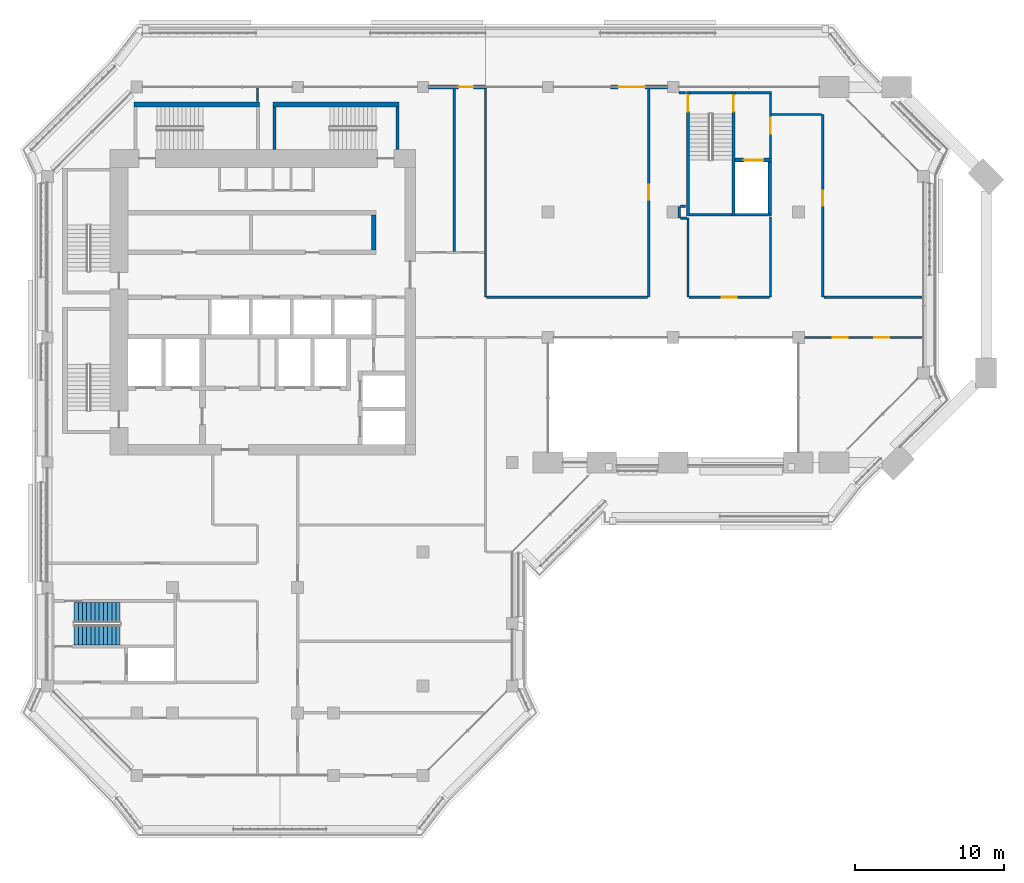
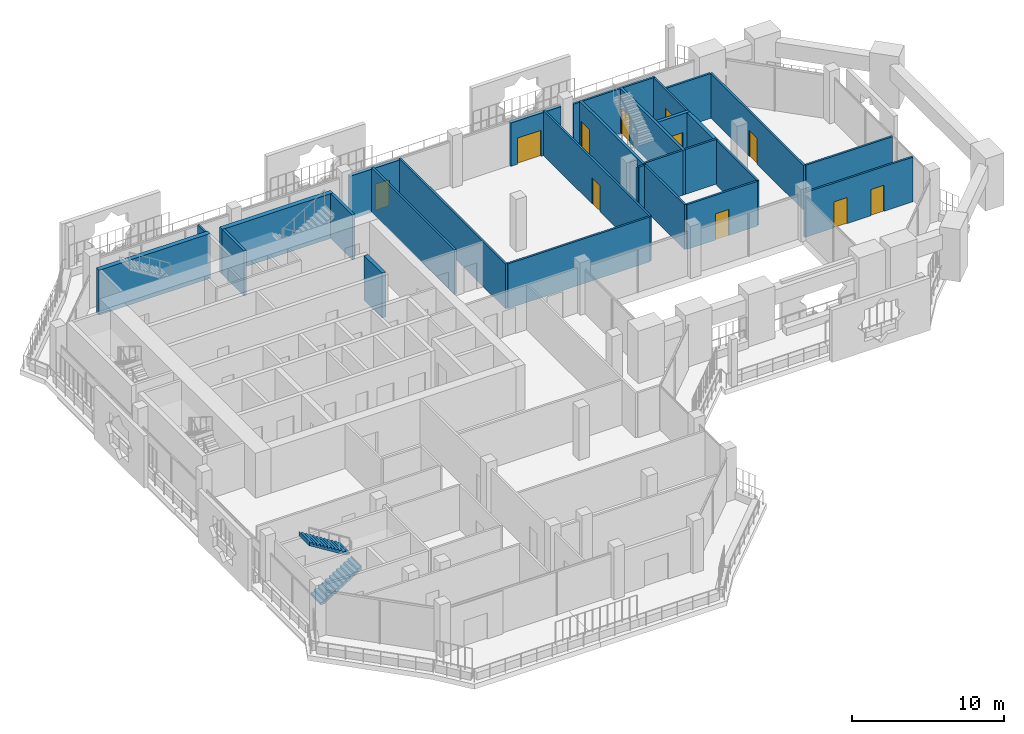
# One storey, part 12 of 22: 32 walls, 11 doors, 2 stair flights, 11 openings, 1 element without a shape of its own.
"""IFC4 building model written with IfcOpenShell, lengths in metres."""

import ifcopenshell
import ifcopenshell.guid

model = None  # the IFC model being written
_history = None  # IfcOwnerHistory: only IFC2X3 demands one
_inside = {}  # id of a spatial element -> (the spatial element, [elements in it])
_under = {}  # id of a project, library or spatial element -> (it, [spatial elements below it])
_declared = {}  # id of a project -> (the project, [libraries it declares])
_typed = {}  # id of a type object -> (the type object, [elements of that type])
_made_of = {}  # id of a material, layer set ... -> (it, [elements and type objects made of it])


def new_model(schema):
    """Start an empty IFC model of exactly this schema.

    Asked for "IFC4X3", IfcOpenShell would pick the latest addendum, in which some entities
    have other attributes; the version numbers below select the first issue.
    IFC2X3 requires an IfcOwnerHistory on every rooted entity: one is made here for all.
    """
    global model, _history
    if schema == "IFC4X3":
        model = ifcopenshell.file(schema_version=(4, 3, 0, 0))
    else:
        model = ifcopenshell.file(schema=schema)
    _inside.clear()
    _under.clear()
    _declared.clear()
    _typed.clear()
    _made_of.clear()
    _history = None
    if model.schema == "IFC2X3":
        org = make("IfcOrganization", Name="unknown")
        user = make(
            "IfcPersonAndOrganization",
            ThePerson=make("IfcPerson", FamilyName="unknown"),
            TheOrganization=org,
        )
        app = make(
            "IfcApplication",
            ApplicationDeveloper=org,
            Version="unknown",
            ApplicationFullName="unknown",
            ApplicationIdentifier="unknown",
        )
        _history = make(
            "IfcOwnerHistory",
            OwningUser=user,
            OwningApplication=app,
            ChangeAction="ADDED",
            CreationDate=0,
        )
    return model


def make(cls, **values):
    """One entity of the class cls with the attributes given. An attribute that is None is left unset."""
    return model.create_entity(
        cls, **{name: value for name, value in values.items() if value is not None}
    )


def rooted(cls, **values):
    """An entity with a GlobalId (a new one), such as an element, a storey or a relation."""
    return make(cls, GlobalId=ifcopenshell.guid.new(), OwnerHistory=_history, **values)


def si_unit(unit_type, name, prefix=None):
    """IfcSIUnit, for example si_unit("LENGTHUNIT", "METRE", prefix="MILLI")."""
    return make("IfcSIUnit", UnitType=unit_type, Prefix=prefix, Name=name)


def assignment(units):
    """IfcUnitAssignment: the units of a project."""
    return None if units is None else make("IfcUnitAssignment", Units=units)


def point(xyz):
    """IfcCartesianPoint."""
    return None if xyz is None else make("IfcCartesianPoint", Coordinates=xyz)


def direction(xyz):
    """IfcDirection."""
    return None if xyz is None else make("IfcDirection", DirectionRatios=xyz)


def frame(location, z_axis=None, x_axis=None):
    """IfcAxis2Placement3D, a coordinate frame: its origin and axes. An axis left out is left unset."""
    return make(
        "IfcAxis2Placement3D",
        Location=point(location),
        Axis=direction(z_axis),
        RefDirection=direction(x_axis),
    )


def frame_2d(location, x_axis=None):
    """IfcAxis2Placement2D, a coordinate frame in the plane: its origin and x axis."""
    return make(
        "IfcAxis2Placement2D", Location=point(location), RefDirection=direction(x_axis)
    )


def origin():
    """The frame at (0, 0, 0) with its axes left unset."""
    return frame((0.0, 0.0, 0.0))


def place(relative_to, where):
    """IfcLocalPlacement: puts the frame where relative to a parent placement (None: the world)."""
    return make(
        "IfcLocalPlacement", PlacementRelTo=relative_to, RelativePlacement=where
    )


def context(
    kind, dimensions, precision=None, world=None, true_north=None, identifier=None
):
    """IfcGeometricRepresentationContext, for example the 3D "Model" context."""
    return make(
        "IfcGeometricRepresentationContext",
        ContextIdentifier=identifier,
        ContextType=kind,
        CoordinateSpaceDimension=dimensions,
        Precision=precision,
        WorldCoordinateSystem=world,
        TrueNorth=true_north,
    )


def subcontext(parent, identifier, kind, view, scale=None):
    """IfcGeometricRepresentationSubContext, for example "Body" below "Model"."""
    return make(
        "IfcGeometricRepresentationSubContext",
        ContextIdentifier=identifier,
        ContextType=kind,
        ParentContext=parent,
        TargetScale=scale,
        TargetView=view,
    )


def project(units=None, contexts=None):
    """IfcProject with its units and contexts."""
    return rooted(
        "IfcProject",
        Name="project",
        RepresentationContexts=contexts,
        UnitsInContext=assignment(units),
    )


def spatial(cls, under=None, at=None, **own):
    """A site, building, storey or space (cls), placed at a placement, below another one or the project."""
    s = rooted(cls, ObjectPlacement=at, **own)
    if under is not None:
        _under.setdefault(under.id(), (under, []))[1].append(s)
    return s


def polyline(points):
    """IfcPolyline through the points."""
    return make("IfcPolyline", Points=[point(p) for p in points])


def profile(cls, at=None, kind="AREA", **sizes):
    """A parametric profile (cls). Its sizes go by their IFC names, for example OverallWidth=200.0."""
    return make(cls, ProfileType=kind, Position=at, **sizes)


def rectangle(**sizes):
    """IfcRectangleProfileDef."""
    return profile("IfcRectangleProfileDef", **sizes)


def outline(outer, holes=None, kind="AREA"):
    """IfcArbitraryClosedProfileDef: a profile drawn as a closed curve; with holes, ...WithVoids."""
    if holes is None:
        return make("IfcArbitraryClosedProfileDef", ProfileType=kind, OuterCurve=outer)
    return make(
        "IfcArbitraryProfileDefWithVoids",
        ProfileType=kind,
        OuterCurve=outer,
        InnerCurves=holes,
    )


def extrude(swept, where, along, depth):
    """IfcExtrudedAreaSolid: the profile swept, set in the frame where, extruded along a direction by depth."""
    return make(
        "IfcExtrudedAreaSolid",
        SweptArea=swept,
        Position=where,
        ExtrudedDirection=direction(along),
        Depth=depth,
    )


def shape(context_of_items, identifier, shape_type, items):
    """IfcShapeRepresentation: the items that make up one representation, for example the "Body"."""
    return make(
        "IfcShapeRepresentation",
        ContextOfItems=context_of_items,
        RepresentationIdentifier=identifier,
        RepresentationType=shape_type,
        Items=items,
    )


def material(Name=None, Category=None):
    """IfcMaterial."""
    return make("IfcMaterial", Name=Name, Category=Category)


def layer(
    of_material, thickness, ventilated=None, Name=None, Category=None, Priority=None
):
    """IfcMaterialLayer: one layer of a wall or slab, of a material (None: an air gap)."""
    return make(
        "IfcMaterialLayer",
        Material=of_material,
        LayerThickness=thickness,
        IsVentilated=ventilated,
        Name=Name,
        Category=Category,
        Priority=Priority,
    )


def layer_set(layers, Name=None):
    """IfcMaterialLayerSet."""
    return make("IfcMaterialLayerSet", MaterialLayers=layers, LayerSetName=Name)


def made_of(thing, what):
    """Note that an element or type object is made of a material, layer set ...; save() writes the relation."""
    if what is not None:
        _made_of.setdefault(what.id(), (what, []))[1].append(thing)
    return thing


def type_object(cls, material=None, **own):
    """A type object (cls), such as IfcWallType, which elements share."""
    return made_of(rooted(cls, **own), material)


def element(
    cls,
    number,
    at=None,
    inside=None,
    cuts=None,
    type_object=None,
    material=None,
    context=None,
    identifier="Body",
    shape_type=None,
    held_by="IfcProductDefinitionShape",
    body=None,
    shapes=None,
    **own,
):
    """One element of the class cls, such as IfcWall. Its Tag is "e" and its number.

    at: its placement. inside: the storey or other place that contains it. cuts: it is an
    opening in that element (IfcRelVoidsElement). A single representation is given by context,
    identifier, shape_type and body (its items); several are given by shapes. held_by: the class
    of the entity that holds the representations. save() writes the other relations.
    """
    e = rooted(cls, Tag="e%d" % number, ObjectPlacement=at, **own)
    if body is not None:
        shapes = [shape(context, identifier, shape_type, body)]
    if shapes is not None:
        e.Representation = make(held_by, Representations=shapes)
    if inside is not None:
        _inside.setdefault(inside.id(), (inside, []))[1].append(e)
    if cuts is not None:
        rooted(
            "IfcRelVoidsElement", RelatingBuildingElement=cuts, RelatedOpeningElement=e
        )
    if type_object is not None:
        _typed.setdefault(type_object.id(), (type_object, []))[1].append(e)
    return made_of(e, material)


def fill(opening, filler):
    """IfcRelFillsElement: the door or window that sits in an opening."""
    return rooted(
        "IfcRelFillsElement",
        RelatingOpeningElement=opening,
        RelatedBuildingElement=filler,
    )


def aggregate(whole, parts):
    """IfcRelAggregates: a whole, such as a stair, and the parts it consists of."""
    return rooted("IfcRelAggregates", RelatingObject=whole, RelatedObjects=parts)


def save(model, path):
    """Write the relations noted so far, then the file.

    IfcRelAggregates (storeys below a building ...), IfcRelContainedInSpatialStructure (elements
    in a storey), IfcRelDefinesByType, IfcRelAssociatesMaterial and IfcRelDeclares: one each for
    every whole, place, type object, material and project.
    """
    for whole, parts in _under.values():
        aggregate(whole, parts)
    for where, things in _inside.values():
        rooted(
            "IfcRelContainedInSpatialStructure",
            RelatedElements=things,
            RelatingStructure=where,
        )
    for kind, things in _typed.values():
        rooted("IfcRelDefinesByType", RelatedObjects=things, RelatingType=kind)
    for what, things in _made_of.values():
        rooted("IfcRelAssociatesMaterial", RelatedObjects=things, RelatingMaterial=what)
    for by, libraries in _declared.values():
        rooted("IfcRelDeclares", RelatingContext=by, RelatedDefinitions=libraries)
    model.write(path)


model = new_model("IFC4")

# Units and contexts
model_context = context("Model", 3, precision=1e-05, world=origin(), true_north=direction((0.0, 1.0)))
body_context = subcontext(model_context, "Body", "Model", "MODEL_VIEW")
ifc_project = project(units=[si_unit("LENGTHUNIT", "METRE"), si_unit("AREAUNIT", "SQUARE_METRE"), si_unit("VOLUMEUNIT", "CUBIC_METRE"), si_unit("PLANEANGLEUNIT", "RADIAN"), si_unit("MASSUNIT", "GRAM", prefix="KILO")], contexts=[model_context])

# Site, building, storey
site_placement = place(None, origin())
site = spatial("IfcSite", under=ifc_project, at=site_placement, CompositionType="ELEMENT")
building_placement = place(site_placement, origin())
building = spatial("IfcBuilding", under=site, at=building_placement, Name="Kawkab Arch Medical Tower", CompositionType="ELEMENT")
storey_placement = place(building_placement, frame((0.0, 0.0, 286.0)))
storey = spatial("IfcBuildingStorey", under=building, at=storey_placement, Name="L66", CompositionType="ELEMENT", Elevation=286.0)

# Wall, opening, door
ifc_material_1 = material(Name="Gypsum board on steel studs", Category="steel")
ifc_layer_1 = layer(ifc_material_1, 0.14990234375)
ifc_layer_set_1 = layer_set([ifc_layer_1], Name="Gypsum board on steel studs")
wall_type_1 = type_object("IfcWallType", Name="Core room partition 150", PredefinedType="PARTITIONING", material=ifc_layer_set_1)
wall_1_placement = place(storey_placement, frame((48.52490234375, -4.77490234375, 0.0), z_axis=(0.0, 0.0, 1.0), x_axis=(0.0, 1.0, 0.0)))
wall_1 = element("IfcWall", 1, at=wall_1_placement, inside=storey, type_object=wall_type_1, Name="L66 core room partition", PredefinedType="PARTITIONING", context=body_context, shape_type="SweptSolid", body=[
    extrude(rectangle(XDim=4.324951171875, YDim=0.14990234375, at=frame_2d((2.16259765625, 0.0))), origin(), (0.0, 0.0, 1.0), 3.60009765625),
])
opening_1_placement = place(wall_1_placement, frame((1.625, 0.0, 0.0)))
opening_1 = element("IfcOpeningElement", 2, at=opening_1_placement, cuts=wall_1, Name="Opening FD", PredefinedType="OPENING", context=body_context, shape_type="SweptSolid", body=[
    extrude(rectangle(XDim=1.10009765625, YDim=2.10009765625, at=frame_2d((0.550048828125, 1.050048828125))), frame((0.0, 0.0849609375, 0.0), z_axis=(0.0, -1.0, 0.0), x_axis=(1.0, 0.0, 0.0)), (0.0, 0.0, 1.0), 0.169921875),
])
ifc_material_2 = material(Name="Hollow metal fire door leaf")
door_type_1 = type_object("IfcDoorType", Name="Firefighting lobby door 1100", OperationType="SINGLE_SWING_LEFT", PredefinedType="DOOR", material=ifc_material_2)
door_1_placement = place(opening_1_placement, origin())
door_1 = element("IfcDoor", 3, at=door_1_placement, inside=storey, type_object=door_type_1, Name="L66 Service lift lobby door SV1", OperationType="SINGLE_SWING_LEFT", OverallHeight=2.10009765625, OverallWidth=1.10009765625, PredefinedType="DOOR", context=body_context, shape_type="SweptSolid", body=[
    extrude(rectangle(XDim=1.10009765625, YDim=2.10009765625, at=frame_2d((0.550048828125, 1.050048828125))), frame((0.0, 0.02490234375, 0.0), z_axis=(0.0, -1.0, 0.0), x_axis=(1.0, 0.0, 0.0)), (0.0, 0.0, 1.0), 0.050048828125),
])
fill(opening_1, door_1)

ifc_material_3 = material(Name="Concrete C60/75", Category="concrete")
ifc_layer_2 = layer(ifc_material_3, 0.25)
ifc_layer_set_2 = layer_set([ifc_layer_2], Name="Concrete C60/75")
wall_type_2 = type_object("IfcWallType", Name="Core shear wall 250 C60/75", PredefinedType="SHEAR", material=ifc_layer_set_2)
wall_2_placement = place(storey_placement, frame((46.14990234375, -4.89990234375, 0.0), z_axis=(0.0, 0.0, 1.0), x_axis=(1.0, 0.0, 0.0)))
wall_2 = element("IfcWall", 4, at=wall_2_placement, inside=storey, type_object=wall_type_2, Name="L66 core shear wall", PredefinedType="SHEAR", context=body_context, shape_type="SweptSolid", body=[
    extrude(rectangle(XDim=2.4501953125, YDim=0.25, at=frame_2d((1.22509765625, 0.0))), origin(), (0.0, 0.0, 1.0), 3.60009765625),
])
opening_2_placement = place(wall_2_placement, frame((0.60009765625, 0.0, 0.0)))
opening_2 = element("IfcOpeningElement", 5, at=opening_2_placement, cuts=wall_2, Name="Opening LD2", PredefinedType="OPENING", context=body_context, shape_type="SweptSolid", body=[
    extrude(rectangle(XDim=1.300048828125, YDim=2.10009765625, at=frame_2d((0.64990234375, 1.050048828125))), frame((0.0, 0.135009765625, 0.0), z_axis=(0.0, -1.0, 0.0), x_axis=(1.0, 0.0, 0.0)), (0.0, 0.0, 1.0), 0.27001953125),
])
ifc_material_4 = material(Name="Stainless steel lift door leaf", Category="steel")
door_type_2 = type_object("IfcDoorType", Name="Lift landing door 1300", OperationType="DOUBLE_DOOR_SLIDING", PredefinedType="DOOR", material=ifc_material_4)
door_2_placement = place(opening_2_placement, origin())
door_2 = element("IfcDoor", 6, at=door_2_placement, inside=storey, type_object=door_type_2, Name="L66 Lift landing door SV1", OperationType="DOUBLE_DOOR_SLIDING", OverallHeight=2.10009765625, OverallWidth=1.300048828125, PredefinedType="DOOR", context=body_context, shape_type="SweptSolid", body=[
    extrude(rectangle(XDim=1.300048828125, YDim=2.10009765625, at=frame_2d((0.64990234375, 1.050048828125))), frame((0.0, 0.02490234375, 0.0), z_axis=(0.0, -1.0, 0.0), x_axis=(1.0, 0.0, 0.0)), (0.0, 0.0, 1.0), 0.050048828125),
])
fill(opening_2, door_2)

# Walls
wall_3_placement = place(storey_placement, frame((48.47509765625, -8.5, 0.0), z_axis=(0.0, 0.0, 1.0), x_axis=(0.0, 1.0, 0.0)))
element("IfcWall", 7, at=wall_3_placement, inside=storey, type_object=wall_type_2, Name="L66 core shear wall", PredefinedType="SHEAR", context=body_context, shape_type="SweptSolid", body=[
    extrude(rectangle(XDim=3.47509765625, YDim=0.25, at=frame_2d((1.737548828125, 0.0))), origin(), (0.0, 0.0, 1.0), 3.60009765625),
])
ifc_material_5 = material(Name="Concrete C60/75", Category="concrete")
ifc_layer_3 = layer(ifc_material_5, 0.300048828125)
ifc_layer_set_3 = layer_set([ifc_layer_3], Name="Concrete C60/75")
wall_type_3 = type_object("IfcWallType", Name="Core shear wall 300 C60/75", PredefinedType="SHEAR", material=ifc_layer_set_3)
wall_4_placement = place(storey_placement, frame((21.89990234375, -10.949951171875, 0.0), z_axis=(0.0, 0.0, 1.0), x_axis=(0.0, 1.0, 0.0)))
element("IfcWall", 8, at=wall_4_placement, inside=storey, type_object=wall_type_3, Name="L66 core shear wall", PredefinedType="SHEAR", context=body_context, shape_type="SweptSolid", body=[
    extrude(rectangle(XDim=2.349853515625, YDim=0.300048828125, at=frame_2d((1.1748046875, 0.0))), origin(), (0.0, 0.0, 1.0), 3.60009765625),
])

# Wall, opening, door
ifc_material_6 = material(Name="Bronze clad insulated wall panel")
ifc_layer_4 = layer(ifc_material_6, 0.25)
ifc_layer_set_4 = layer_set([ifc_layer_4], Name="Bronze clad insulated wall panel")
wall_type_4 = type_object("IfcWallType", Name="External wall bay 250", PredefinedType="SOLIDWALL", material=ifc_layer_set_4)
wall_5_placement = place(storey_placement, frame((41.625, 0.0, 0.0), z_axis=(0.0, 0.0, 1.0), x_axis=(-1.0, 0.0, 0.0)))
wall_5 = element("IfcWall", 9, at=wall_5_placement, inside=storey, type_object=wall_type_4, Name="External wall bay L66.R10.2.1", PredefinedType="SOLIDWALL", context=body_context, shape_type="SweptSolid", body=[
    extrude(rectangle(XDim=3.824951171875, YDim=0.25, at=frame_2d((1.91259765625, 0.0))), origin(), (0.0, 0.0, 1.0), 3.47998046875),
])
opening_3_placement = place(wall_5_placement, frame((1.512451171875, 0.0, 0.0)))
opening_3 = element("IfcOpeningElement", 10, at=opening_3_placement, cuts=wall_5, Name="Opening B66-701", PredefinedType="OPENING", context=body_context, shape_type="SweptSolid", body=[
    extrude(rectangle(XDim=1.800048828125, YDim=2.10009765625, at=frame_2d((0.89990234375, 1.050048828125))), frame((0.0, 0.135009765625, 0.0), z_axis=(0.0, -1.0, 0.0), x_axis=(1.0, 0.0, 0.0)), (0.0, 0.0, 1.0), 0.27001953125),
])
ifc_material_7 = material(Name="Bronze anodised aluminium door with tinted glass", Category="aluminium")
door_type_3 = type_object("IfcDoorType", Name="Double external door 1800 x 2100", OperationType="DOUBLE_DOOR_SINGLE_SWING", PredefinedType="DOOR", material=ifc_material_7)
door_3_placement = place(opening_3_placement, origin())
door_3 = element("IfcDoor", 11, at=door_3_placement, inside=storey, type_object=door_type_3, Name="External door L66.R10.2.1", OperationType="DOUBLE_DOOR_SINGLE_SWING", OverallHeight=2.10009765625, OverallWidth=1.800048828125, PredefinedType="DOOR", context=body_context, shape_type="SweptSolid", body=[
    extrude(rectangle(XDim=1.800048828125, YDim=2.10009765625, at=frame_2d((0.89990234375, 1.050048828125))), frame((0.0, 0.02490234375, 0.0), z_axis=(0.0, -1.0, 0.0), x_axis=(1.0, 0.0, 0.0)), (0.0, 0.0, 1.0), 0.050048828125),
])
fill(opening_3, door_3)

wall_6_placement = place(storey_placement, frame((29.39990234375, 0.0, 0.0), z_axis=(0.0, 0.0, 1.0), x_axis=(-1.0, 0.0, 0.0)))
wall_6 = element("IfcWall", 12, at=wall_6_placement, inside=storey, type_object=wall_type_4, Name="External wall bay L66.R10.3.2", PredefinedType="SOLIDWALL", context=body_context, shape_type="SweptSolid", body=[
    extrude(rectangle(XDim=3.824951171875, YDim=0.25, at=frame_2d((1.91259765625, 0.0))), origin(), (0.0, 0.0, 1.0), 3.47998046875),
])
opening_4_placement = place(wall_6_placement, frame((0.8125, 0.0, 0.0)))
opening_4 = element("IfcOpeningElement", 13, at=opening_4_placement, cuts=wall_6, Name="Opening B66-702", PredefinedType="OPENING", context=body_context, shape_type="SweptSolid", body=[
    extrude(rectangle(XDim=1.0, YDim=2.10009765625, at=frame_2d((0.5, 1.050048828125))), frame((0.0, 0.135009765625, 0.0), z_axis=(0.0, -1.0, 0.0), x_axis=(1.0, 0.0, 0.0)), (0.0, 0.0, 1.0), 0.27001953125),
])
ifc_material_8 = material(Name="Bronze anodised aluminium door with tinted glass", Category="aluminium")
door_type_4 = type_object("IfcDoorType", Name="Single external door 1000 x 2100", OperationType="SINGLE_SWING_LEFT", PredefinedType="DOOR", material=ifc_material_8)
door_4_placement = place(opening_4_placement, origin())
door_4 = element("IfcDoor", 14, at=door_4_placement, inside=storey, type_object=door_type_4, Name="External door L66.R10.3.2", OperationType="SINGLE_SWING_LEFT", OverallHeight=2.10009765625, OverallWidth=1.0, PredefinedType="DOOR", context=body_context, shape_type="SweptSolid", body=[
    extrude(rectangle(XDim=1.0, YDim=2.10009765625, at=frame_2d((0.5, 1.050048828125))), frame((0.0, 0.02490234375, 0.0), z_axis=(0.0, -1.0, 0.0), x_axis=(1.0, 0.0, 0.0)), (0.0, 0.0, 1.0), 0.050048828125),
])
fill(opening_4, door_4)

# Wall, openings, doors
ifc_material_9 = material(Name="Gypsum board partition on steel studs, mineral wool", Category="steel")
ifc_layer_5 = layer(ifc_material_9, 0.14990234375)
ifc_layer_set_5 = layer_set([ifc_layer_5], Name="Gypsum board partition on steel studs, mineral wool")
wall_type_5 = type_object("IfcWallType", Name="Partition 150", PredefinedType="PARTITIONING", material=ifc_layer_set_5)
wall_7_placement = place(storey_placement, frame((50.47998046875, -16.800048828125, 0.0), z_axis=(0.0, 0.0, 1.0), x_axis=(1.0, 0.0, 0.0)))
wall_7 = element("IfcWall", 15, at=wall_7_placement, inside=storey, type_object=wall_type_5, Name="Partition 150 w011", PredefinedType="PARTITIONING", context=body_context, shape_type="SweptSolid", body=[
    extrude(rectangle(XDim=8.239990234375, YDim=0.14990234375, at=frame_2d((4.1201171875, 0.0))), origin(), (0.0, 0.0, 1.0), 3.60009765625),
])
opening_5_placement = place(wall_7_placement, frame((5.02001953125, 0.0, 0.0)))
opening_5 = element("IfcOpeningElement", 16, at=opening_5_placement, cuts=wall_7, Name="Opening B66-006", PredefinedType="OPENING", context=body_context, shape_type="SweptSolid", body=[
    extrude(rectangle(XDim=1.0, YDim=2.10009765625, at=frame_2d((0.5, 1.050048828125))), frame((0.0, 0.0849609375, 0.0), z_axis=(0.0, -1.0, 0.0), x_axis=(1.0, 0.0, 0.0)), (0.0, 0.0, 1.0), 0.169921875),
])
opening_6_placement = place(wall_7_placement, frame((2.219970703125, 0.0, 0.0)))
opening_6 = element("IfcOpeningElement", 17, at=opening_6_placement, cuts=wall_7, Name="Opening B66-007", PredefinedType="OPENING", context=body_context, shape_type="SweptSolid", body=[
    extrude(rectangle(XDim=1.0, YDim=2.10009765625, at=frame_2d((0.5, 1.050048828125))), frame((0.0, 0.0849609375, 0.0), z_axis=(0.0, -1.0, 0.0), x_axis=(1.0, 0.0, 0.0)), (0.0, 0.0, 1.0), 0.169921875),
])
ifc_material_10 = material(Name="Hollow metal door leaf")
door_type_5 = type_object("IfcDoorType", Name="Single door 1000x2100 FD30S", OperationType="NOTDEFINED", PredefinedType="DOOR", material=ifc_material_10)
door_5_placement = place(opening_5_placement, origin())
door_5 = element("IfcDoor", 18, at=door_5_placement, inside=storey, type_object=door_type_5, Name="Door B66-006", OperationType="SINGLE_SWING_LEFT", OverallHeight=2.10009765625, OverallWidth=1.0, PredefinedType="DOOR", context=body_context, shape_type="SweptSolid", body=[
    extrude(rectangle(XDim=1.0, YDim=2.10009765625, at=frame_2d((0.5, 1.050048828125))), frame((0.0, 0.02490234375, 0.0), z_axis=(0.0, -1.0, 0.0), x_axis=(1.0, 0.0, 0.0)), (0.0, 0.0, 1.0), 0.050048828125),
])
fill(opening_5, door_5)
door_6_placement = place(opening_6_placement, origin())
door_6 = element("IfcDoor", 19, at=door_6_placement, inside=storey, type_object=door_type_5, Name="Door B66-007", OperationType="SINGLE_SWING_RIGHT", OverallHeight=2.10009765625, OverallWidth=1.0, PredefinedType="DOOR", context=body_context, shape_type="SweptSolid", body=[
    extrude(rectangle(XDim=1.0, YDim=2.10009765625, at=frame_2d((0.5, 1.050048828125))), frame((0.0, 0.02490234375, 0.0), z_axis=(0.0, -1.0, 0.0), x_axis=(1.0, 0.0, 0.0)), (0.0, 0.0, 1.0), 0.050048828125),
])
fill(opening_6, door_6)

# Wall
wall_8_placement = place(storey_placement, frame((29.47509765625, -14.10009765625, 0.0), z_axis=(0.0, 0.0, 1.0), x_axis=(1.0, 0.0, 0.0)))
element("IfcWall", 20, at=wall_8_placement, inside=storey, type_object=wall_type_5, Name="Partition 150 w012", PredefinedType="PARTITIONING", context=body_context, shape_type="SweptSolid", body=[
    extrude(rectangle(XDim=10.806884765625, YDim=0.14990234375, at=frame_2d((5.4033203125, 0.0))), origin(), (0.0, 0.0, 1.0), 3.60009765625),
])

# Wall, opening, door
wall_9_placement = place(storey_placement, frame((43.074951171875, -14.10009765625, 0.0), z_axis=(0.0, 0.0, 1.0), x_axis=(1.0, 0.0, 0.0)))
wall_9 = element("IfcWall", 21, at=wall_9_placement, inside=storey, type_object=wall_type_5, Name="Partition 150 w013", PredefinedType="PARTITIONING", context=body_context, shape_type="SweptSolid", body=[
    extrude(rectangle(XDim=5.375, YDim=0.14990234375, at=frame_2d((2.6875, 0.0))), origin(), (0.0, 0.0, 1.0), 3.60009765625),
])
opening_7_placement = place(wall_9_placement, frame((2.18798828125, 0.0, 0.0)))
opening_7 = element("IfcOpeningElement", 22, at=opening_7_placement, cuts=wall_9, Name="Opening B66-015", PredefinedType="OPENING", context=body_context, shape_type="SweptSolid", body=[
    extrude(rectangle(XDim=1.0, YDim=2.10009765625, at=frame_2d((0.5, 1.050048828125))), frame((0.0, 0.0849609375, 0.0), z_axis=(0.0, -1.0, 0.0), x_axis=(1.0, 0.0, 0.0)), (0.0, 0.0, 1.0), 0.169921875),
])
door_7_placement = place(opening_7_placement, origin())
door_7 = element("IfcDoor", 23, at=door_7_placement, inside=storey, type_object=door_type_5, Name="Door B66-015", OperationType="SINGLE_SWING_LEFT", OverallHeight=2.10009765625, OverallWidth=1.0, PredefinedType="DOOR", context=body_context, shape_type="SweptSolid", body=[
    extrude(rectangle(XDim=1.0, YDim=2.10009765625, at=frame_2d((0.5, 1.050048828125))), frame((0.0, 0.02490234375, 0.0), z_axis=(0.0, -1.0, 0.0), x_axis=(1.0, 0.0, 0.0)), (0.0, 0.0, 1.0), 0.050048828125),
])
fill(opening_7, door_7)

# Walls
wall_10_placement = place(storey_placement, frame((52.117919921875, -14.10009765625, 0.0), z_axis=(0.0, 0.0, 1.0), x_axis=(1.0, 0.0, 0.0)))
element("IfcWall", 24, at=wall_10_placement, inside=storey, type_object=wall_type_5, Name="Partition 150 w014", PredefinedType="PARTITIONING", context=body_context, shape_type="SweptSolid", body=[
    extrude(rectangle(XDim=6.60205078125, YDim=0.14990234375, at=frame_2d((3.301025390625, 0.0))), origin(), (0.0, 0.0, 1.0), 3.60009765625),
])
wall_11_placement = place(storey_placement, frame((42.47509765625, -8.800048828125, 0.0), z_axis=(0.0, 0.0, 1.0), x_axis=(1.0, 0.0, 0.0)))
element("IfcWall", 25, at=wall_11_placement, inside=storey, type_object=wall_type_5, Name="Partition 150 w016", PredefinedType="PARTITIONING", context=body_context, shape_type="SweptSolid", body=[
    extrude(rectangle(XDim=0.449951171875, YDim=0.14990234375, at=frame_2d((0.22509765625, 0.0))), origin(), (0.0, 0.0, 1.0), 3.60009765625),
])
wall_12_placement = place(storey_placement, frame((42.47607421875, -8.0, 0.0), z_axis=(0.0, 0.0, 1.0), x_axis=(1.0, 0.0, 0.0)))
element("IfcWall", 26, at=wall_12_placement, inside=storey, type_object=wall_type_5, Name="Partition 150 w017", PredefinedType="PARTITIONING", context=body_context, shape_type="SweptSolid", body=[
    extrude(rectangle(XDim=0.343994140625, YDim=0.14990234375, at=frame_2d((0.171875, 0.0))), origin(), (0.0, 0.0, 1.0), 3.60009765625),
])
wall_13_placement = place(storey_placement, frame((48.60009765625, -1.85009765625, 0.0), z_axis=(0.0, 0.0, 1.0), x_axis=(1.0, 0.0, 0.0)))
element("IfcWall", 27, at=wall_13_placement, inside=storey, type_object=wall_type_5, Name="Partition 150 w018", PredefinedType="PARTITIONING", context=body_context, shape_type="SweptSolid", body=[
    extrude(rectangle(XDim=3.366943359375, YDim=0.14990234375, at=frame_2d((1.68359375, 0.0))), origin(), (0.0, 0.0, 1.0), 3.60009765625),
])
wall_14_placement = place(storey_placement, frame((42.375, -0.375, 0.0), z_axis=(0.0, 0.0, 1.0), x_axis=(1.0, 0.0, 0.0)))
element("IfcWall", 28, at=wall_14_placement, inside=storey, type_object=wall_type_5, Name="Partition 150 w019", PredefinedType="PARTITIONING", context=body_context, shape_type="SweptSolid", body=[
    extrude(rectangle(XDim=0.445068359375, YDim=0.14990234375, at=frame_2d((0.22265625, 0.0))), origin(), (0.0, 0.0, 1.0), 3.60009765625),
])
wall_15_placement = place(storey_placement, frame((14.10009765625, -0.969970703125, 0.0), z_axis=(0.0, 0.0, 1.0), x_axis=(0.0, 1.0, 0.0)))
element("IfcWall", 29, at=wall_15_placement, inside=storey, type_object=wall_type_5, Name="Partition 150 w025", PredefinedType="PARTITIONING", context=body_context, shape_type="SweptSolid", body=[
    extrude(rectangle(XDim=0.889892578125, YDim=0.14990234375, at=frame_2d((0.44482421875, 0.0))), origin(), (0.0, 0.0, 1.0), 3.60009765625),
])
wall_16_placement = place(storey_placement, frame((27.300048828125, -11.02490234375, 0.0), z_axis=(0.0, 0.0, 1.0), x_axis=(0.0, 1.0, 0.0)))
element("IfcWall", 30, at=wall_16_placement, inside=storey, type_object=wall_type_5, Name="Partition 150 w027", PredefinedType="PARTITIONING", context=body_context, shape_type="SweptSolid", body=[
    extrude(rectangle(XDim=10.94482421875, YDim=0.14990234375, at=frame_2d((5.472412109375, 0.0))), origin(), (0.0, 0.0, 1.0), 3.60009765625),
])
wall_17_placement = place(storey_placement, frame((29.39990234375, -14.10009765625, 0.0), z_axis=(0.0, 0.0, 1.0), x_axis=(0.0, 1.0, 0.0)))
element("IfcWall", 31, at=wall_17_placement, inside=storey, type_object=wall_type_5, Name="Partition 150 w029", PredefinedType="PARTITIONING", context=body_context, shape_type="SweptSolid", body=[
    extrude(rectangle(XDim=14.02001953125, YDim=0.14990234375, at=frame_2d((7.010009765625, 0.0))), origin(), (0.0, 0.0, 1.0), 3.60009765625),
])

# Wall, opening, door
wall_18_placement = place(storey_placement, frame((40.35693359375, -14.10009765625, 0.0), z_axis=(0.0, 0.0, 1.0), x_axis=(0.0, 1.0, 0.0)))
wall_18 = element("IfcWall", 32, at=wall_18_placement, inside=storey, type_object=wall_type_5, Name="Partition 150 w030", PredefinedType="PARTITIONING", context=body_context, shape_type="SweptSolid", body=[
    extrude(rectangle(XDim=14.02001953125, YDim=0.14990234375, at=frame_2d((7.010009765625, 0.0))), origin(), (0.0, 0.0, 1.0), 3.60009765625),
])
opening_8_placement = place(wall_18_placement, frame((6.550048828125, 0.0, 0.0)))
opening_8 = element("IfcOpeningElement", 33, at=opening_8_placement, cuts=wall_18, Name="Opening B66-013", PredefinedType="OPENING", context=body_context, shape_type="SweptSolid", body=[
    extrude(rectangle(XDim=1.0, YDim=2.10009765625, at=frame_2d((0.5, 1.050048828125))), frame((0.0, 0.0849609375, 0.0), z_axis=(0.0, -1.0, 0.0), x_axis=(1.0, 0.0, 0.0)), (0.0, 0.0, 1.0), 0.169921875),
])
door_8_placement = place(opening_8_placement, origin())
door_8 = element("IfcDoor", 34, at=door_8_placement, inside=storey, type_object=door_type_5, Name="Door B66-013", OperationType="SINGLE_SWING_LEFT", OverallHeight=2.10009765625, OverallWidth=1.0, PredefinedType="DOOR", context=body_context, shape_type="SweptSolid", body=[
    extrude(rectangle(XDim=1.0, YDim=2.10009765625, at=frame_2d((0.5, 1.050048828125))), frame((0.0, 0.02490234375, 0.0), z_axis=(0.0, -1.0, 0.0), x_axis=(1.0, 0.0, 0.0)), (0.0, 0.0, 1.0), 0.050048828125),
])
fill(opening_8, door_8)

# Walls
wall_19_placement = place(storey_placement, frame((42.39990234375, -8.800048828125, 0.0), z_axis=(0.0, 0.0, 1.0), x_axis=(0.0, 1.0, 0.0)))
element("IfcWall", 35, at=wall_19_placement, inside=storey, type_object=wall_type_5, Name="Partition 150 w031", PredefinedType="PARTITIONING", context=body_context, shape_type="SweptSolid", body=[
    extrude(rectangle(XDim=0.799072265625, YDim=0.14990234375, at=frame_2d((0.3994140625, 0.0))), origin(), (0.0, 0.0, 1.0), 3.60009765625),
])
wall_20_placement = place(storey_placement, frame((43.0, -14.10009765625, 0.0), z_axis=(0.0, 0.0, 1.0), x_axis=(0.0, 1.0, 0.0)))
element("IfcWall", 36, at=wall_20_placement, inside=storey, type_object=wall_type_5, Name="Partition 150 w032", PredefinedType="PARTITIONING", context=body_context, shape_type="SweptSolid", body=[
    extrude(rectangle(XDim=5.300048828125, YDim=0.14990234375, at=frame_2d((2.64990234375, 0.0))), origin(), (0.0, 0.0, 1.0), 3.60009765625),
])
wall_21_placement = place(storey_placement, frame((48.52490234375, -14.10009765625, 0.0), z_axis=(0.0, 0.0, 1.0), x_axis=(0.0, 1.0, 0.0)))
element("IfcWall", 37, at=wall_21_placement, inside=storey, type_object=wall_type_5, Name="Partition 150 w033", PredefinedType="PARTITIONING", context=body_context, shape_type="SweptSolid", body=[
    extrude(rectangle(XDim=5.3701171875, YDim=0.14990234375, at=frame_2d((2.68505859375, 0.0))), origin(), (0.0, 0.0, 1.0), 3.60009765625),
])

# Wall, opening, door
wall_22_placement = place(storey_placement, frame((52.04296875, -14.10009765625, 0.0), z_axis=(0.0, 0.0, 1.0), x_axis=(0.0, 1.0, 0.0)))
wall_22 = element("IfcWall", 38, at=wall_22_placement, inside=storey, type_object=wall_type_5, Name="Partition 150 w034", PredefinedType="PARTITIONING", context=body_context, shape_type="SweptSolid", body=[
    extrude(rectangle(XDim=12.248046875, YDim=0.14990234375, at=frame_2d((6.1240234375, 0.0))), origin(), (0.0, 0.0, 1.0), 3.60009765625),
])
opening_9_placement = place(wall_22_placement, frame((6.1240234375, 0.0, 0.0)))
opening_9 = element("IfcOpeningElement", 39, at=opening_9_placement, cuts=wall_22, Name="Opening B66-005", PredefinedType="OPENING", context=body_context, shape_type="SweptSolid", body=[
    extrude(rectangle(XDim=1.0, YDim=2.10009765625, at=frame_2d((0.5, 1.050048828125))), frame((0.0, 0.0849609375, 0.0), z_axis=(0.0, -1.0, 0.0), x_axis=(1.0, 0.0, 0.0)), (0.0, 0.0, 1.0), 0.169921875),
])
door_9_placement = place(opening_9_placement, origin())
door_9 = element("IfcDoor", 40, at=door_9_placement, inside=storey, type_object=door_type_5, Name="Door B66-005", OperationType="SINGLE_SWING_LEFT", OverallHeight=2.10009765625, OverallWidth=1.0, PredefinedType="DOOR", context=body_context, shape_type="SweptSolid", body=[
    extrude(rectangle(XDim=1.0, YDim=2.10009765625, at=frame_2d((0.5, 1.050048828125))), frame((0.0, 0.02490234375, 0.0), z_axis=(0.0, -1.0, 0.0), x_axis=(1.0, 0.0, 0.0)), (0.0, 0.0, 1.0), 0.050048828125),
])
fill(opening_9, door_9)

# Walls
ifc_material_11 = material(Name="Concrete C50/60", Category="concrete")
ifc_layer_6 = layer(ifc_material_11, 0.14990234375)
ifc_layer_set_6 = layer_set([ifc_layer_6], Name="Concrete C50/60")
wall_type_6 = type_object("IfcWallType", Name="Stair enclosure wall 150 C50/60", PredefinedType="SHEAR", material=ifc_layer_set_6)
wall_23_placement = place(storey_placement, frame((43.10009765625, -0.375, 0.0), z_axis=(0.0, 0.0, 1.0), x_axis=(1.0, 0.0, 0.0)))
element("IfcWall", 41, at=wall_23_placement, inside=storey, type_object=wall_type_6, Name="L66 stair enclosure wall", PredefinedType="SHEAR", context=body_context, shape_type="SweptSolid", body=[
    extrude(rectangle(XDim=2.849853515625, YDim=0.14990234375, at=frame_2d((1.4248046875, 0.0))), origin(), (0.0, 0.0, 1.0), 3.60009765625),
])
wall_24_placement = place(storey_placement, frame((46.14990234375, -0.375, 0.0), z_axis=(0.0, 0.0, 1.0), x_axis=(1.0, 0.0, 0.0)))
element("IfcWall", 42, at=wall_24_placement, inside=storey, type_object=wall_type_6, Name="L66 stair enclosure wall", PredefinedType="SHEAR", context=body_context, shape_type="SweptSolid", body=[
    extrude(rectangle(XDim=2.4501953125, YDim=0.14990234375, at=frame_2d((1.22509765625, 0.0))), origin(), (0.0, 0.0, 1.0), 3.60009765625),
])
wall_25_placement = place(storey_placement, frame((43.10009765625, -8.574951171875, 0.0), z_axis=(0.0, 0.0, 1.0), x_axis=(1.0, 0.0, 0.0)))
element("IfcWall", 43, at=wall_25_placement, inside=storey, type_object=wall_type_6, Name="L66 stair enclosure wall", PredefinedType="SHEAR", context=body_context, shape_type="SweptSolid", body=[
    extrude(rectangle(XDim=2.849853515625, YDim=0.14990234375, at=frame_2d((1.4248046875, 0.0))), origin(), (0.0, 0.0, 1.0), 3.60009765625),
])
wall_26_placement = place(storey_placement, frame((46.14990234375, -8.574951171875, 0.0), z_axis=(0.0, 0.0, 1.0), x_axis=(1.0, 0.0, 0.0)))
element("IfcWall", 44, at=wall_26_placement, inside=storey, type_object=wall_type_6, Name="L66 stair enclosure wall", PredefinedType="SHEAR", context=body_context, shape_type="SweptSolid", body=[
    extrude(rectangle(XDim=2.4501953125, YDim=0.14990234375, at=frame_2d((1.22509765625, 0.0))), origin(), (0.0, 0.0, 1.0), 3.60009765625),
])
ifc_material_12 = material(Name="Concrete C50/60", Category="concrete")
ifc_layer_7 = layer(ifc_material_12, 0.199951171875)
ifc_layer_set_7 = layer_set([ifc_layer_7], Name="Concrete C50/60")
wall_type_7 = type_object("IfcWallType", Name="Stair enclosure wall 200 C50/60", PredefinedType="SHEAR", material=ifc_layer_set_7)
for number, where, z_axis, x_axis, name in (
    (45, (15.25, -4.199951171875, 0.0), (0.0, 0.0, 1.0), (0.0, 1.0, 0.0), "L66 stair enclosure wall"),
    (46, (23.5, -4.199951171875, 0.0), (0.0, 0.0, 1.0), (0.0, 1.0, 0.0), "L66 stair enclosure wall"),
):
    element("IfcWall", number, at=place(storey_placement, frame(where, z_axis=z_axis, x_axis=x_axis)), inside=storey, type_object=wall_type_7, Name=name, PredefinedType="SHEAR", context=body_context, shape_type="SweptSolid", body=[
        extrude(rectangle(XDim=2.849853515625, YDim=0.199951171875, at=frame_2d((1.4248046875, 0.0))), origin(), (0.0, 0.0, 1.0), 3.60009765625),
    ])

# Wall, opening, door
wall_27_placement = place(storey_placement, frame((43.0, -8.64990234375, 0.0), z_axis=(0.0, 0.0, 1.0), x_axis=(0.0, 1.0, 0.0)))
wall_27 = element("IfcWall", 47, at=wall_27_placement, inside=storey, type_object=wall_type_7, Name="L66 stair enclosure wall", PredefinedType="SHEAR", context=body_context, shape_type="SweptSolid", body=[
    extrude(rectangle(XDim=8.349853515625, YDim=0.199951171875, at=frame_2d((4.1748046875, 0.0))), origin(), (0.0, 0.0, 1.0), 3.60009765625),
])
opening_10_placement = place(wall_27_placement, frame((7.0, 0.0, 0.0)))
opening_10 = element("IfcOpeningElement", 48, at=opening_10_placement, cuts=wall_27, Name="Opening SD", PredefinedType="OPENING", context=body_context, shape_type="SweptSolid", body=[
    extrude(rectangle(XDim=1.10009765625, YDim=2.10009765625, at=frame_2d((0.550048828125, 1.050048828125))), frame((0.0, 0.10986328125, 0.0), z_axis=(0.0, -1.0, 0.0), x_axis=(1.0, 0.0, 0.0)), (0.0, 0.0, 1.0), 0.219970703125),
])
ifc_material_13 = material(Name="Hollow metal fire door leaf")
door_type_6 = type_object("IfcDoorType", Name="Exit stair door 1100", OperationType="SINGLE_SWING_LEFT", PredefinedType="DOOR", material=ifc_material_13)
door_10_placement = place(opening_10_placement, frame((1.10009765625, 0.0, 0.0), z_axis=(0.0, 0.0, 1.0), x_axis=(-1.0, 0.0, 0.0)))
door_10 = element("IfcDoor", 49, at=door_10_placement, inside=storey, type_object=door_type_6, Name="L66 Exit stair ST5 door", OperationType="SINGLE_SWING_LEFT", OverallHeight=2.10009765625, OverallWidth=1.10009765625, PredefinedType="DOOR", context=body_context, shape_type="SweptSolid", body=[
    extrude(rectangle(XDim=1.10009765625, YDim=2.10009765625, at=frame_2d((0.550048828125, 1.050048828125))), frame((0.0, 0.02490234375, 0.0), z_axis=(0.0, -1.0, 0.0), x_axis=(1.0, 0.0, 0.0)), (0.0, 0.0, 1.0), 0.050048828125),
])
fill(opening_10, door_10)

wall_28_placement = place(storey_placement, frame((46.050048828125, -8.64990234375, 0.0), z_axis=(0.0, 0.0, 1.0), x_axis=(0.0, 1.0, 0.0)))
wall_28 = element("IfcWall", 50, at=wall_28_placement, inside=storey, type_object=wall_type_7, Name="L66 stair enclosure wall", PredefinedType="SHEAR", context=body_context, shape_type="SweptSolid", body=[
    extrude(rectangle(XDim=8.349853515625, YDim=0.199951171875, at=frame_2d((4.1748046875, 0.0))), origin(), (0.0, 0.0, 1.0), 3.60009765625),
])
opening_11_placement = place(wall_28_placement, frame((7.0, 0.0, 0.0)))
opening_11 = element("IfcOpeningElement", 51, at=opening_11_placement, cuts=wall_28, Name="Opening SD", PredefinedType="OPENING", context=body_context, shape_type="SweptSolid", body=[
    extrude(rectangle(XDim=1.10009765625, YDim=2.10009765625, at=frame_2d((0.550048828125, 1.050048828125))), frame((0.0, 0.10986328125, 0.0), z_axis=(0.0, -1.0, 0.0), x_axis=(1.0, 0.0, 0.0)), (0.0, 0.0, 1.0), 0.219970703125),
])
door_11_placement = place(opening_11_placement, origin())
door_11 = element("IfcDoor", 52, at=door_11_placement, inside=storey, type_object=door_type_6, Name="L66 Exit stair ST5 lobby door", OperationType="SINGLE_SWING_LEFT", OverallHeight=2.10009765625, OverallWidth=1.10009765625, PredefinedType="DOOR", context=body_context, shape_type="SweptSolid", body=[
    extrude(rectangle(XDim=1.10009765625, YDim=2.10009765625, at=frame_2d((0.550048828125, 1.050048828125))), frame((0.0, 0.02490234375, 0.0), z_axis=(0.0, -1.0, 0.0), x_axis=(1.0, 0.0, 0.0)), (0.0, 0.0, 1.0), 0.050048828125),
])
fill(opening_11, door_11)

# Walls
ifc_material_14 = material(Name="Concrete C50/60", Category="concrete")
ifc_layer_8 = layer(ifc_material_14, 0.35009765625)
ifc_layer_set_8 = layer_set([ifc_layer_8], Name="Concrete C50/60")
wall_type_8 = type_object("IfcWallType", Name="Stair enclosure wall 350 C50/60", PredefinedType="SHEAR", material=ifc_layer_set_8)
wall_29_placement = place(storey_placement, frame((5.800048828125, -1.175048828125, 0.0), z_axis=(0.0, 0.0, 1.0), x_axis=(1.0, 0.0, 0.0)))
element("IfcWall", 53, at=wall_29_placement, inside=storey, type_object=wall_type_8, Name="L66 stair enclosure wall", PredefinedType="SHEAR", context=body_context, shape_type="SweptSolid", body=[
    extrude(rectangle(XDim=8.449951171875, YDim=0.35009765625, at=frame_2d((4.22509765625, 0.0))), origin(), (0.0, 0.0, 1.0), 3.60009765625),
])
wall_30_placement = place(storey_placement, frame((15.14990234375, -1.175048828125, 0.0), z_axis=(0.0, 0.0, 1.0), x_axis=(1.0, 0.0, 0.0)))
element("IfcWall", 54, at=wall_30_placement, inside=storey, type_object=wall_type_8, Name="L66 stair enclosure wall", PredefinedType="SHEAR", context=body_context, shape_type="SweptSolid", body=[
    extrude(rectangle(XDim=8.4501953125, YDim=0.35009765625, at=frame_2d((4.22509765625, 0.0))), origin(), (0.0, 0.0, 1.0), 3.60009765625),
])

# Stair, stair flights
ifc_material_15 = material(Name="Concrete C40/50", Category="concrete")
stair_type = type_object("IfcStairType", Name="Exit stair 1350", PredefinedType="HALF_TURN_STAIR", material=ifc_material_15)
stair_placement = place(storey_placement, origin())
stair = element("IfcStair", 55, at=stair_placement, inside=storey, type_object=stair_type, Name="L66 Exit stair ST6", PredefinedType="HALF_TURN_STAIR")
ifc_material_16 = material(Name="Concrete C40/50", Category="concrete")
stair_flight_type = type_object("IfcStairFlightType", Name="Exit stair flight 1350", PredefinedType="STRAIGHT", material=ifc_material_16)
stair_flight_1_placement = place(storey_placement, frame((1.800048828125, -36.77490234375, 0.0), z_axis=(0.0, 0.0, 1.0), x_axis=(1.0, 0.0, 0.0)))
stair_flight_1 = element("IfcStairFlight", 56, at=stair_flight_1_placement, type_object=stair_flight_type, Name="ST6 flight 1", NumberOfRisers=12, NumberOfTreads=11, PredefinedType="STRAIGHT", RiserHeight=0.175, TreadLength=0.28, context=body_context, shape_type="SweptSolid", body=[
    extrude(outline(polyline([(-0.0029296875, 0.0), (-0.0029296875, 0.175048828125), (0.0, 0.175048828125), (0.280029296875, 0.175048828125), (0.280029296875, 0.35009765625), (0.56005859375, 0.35009765625), (0.56005859375, 0.52490234375), (0.840087890625, 0.52490234375), (0.840087890625, 0.699951171875), (1.1201171875, 0.699951171875), (1.1201171875, 0.875), (1.39990234375, 0.875), (1.39990234375, 1.050048828125), (1.679931640625, 1.050048828125), (1.679931640625, 1.22509765625), (1.9599609375, 1.22509765625), (1.9599609375, 1.39990234375), (2.239990234375, 1.39990234375), (2.239990234375, 1.574951171875), (2.52001953125, 1.574951171875), (2.52001953125, 1.75), (2.800048828125, 1.75), (2.800048828125, 1.925048828125), (3.080078125, 1.925048828125), (3.080078125, 2.10009765625), (3.0830078125, 2.10009765625), (3.0830078125, 1.748291015625), (3.080078125, 1.748291015625), (0.28271484375, 0.0), (-0.0029296875, 0.0)])), frame((0.0, 0.675048828125, 0.0), z_axis=(0.0, -1.0, 0.0), x_axis=(1.0, 0.0, 0.0)), (0.0, 0.0, 1.0), 1.35009765625),
])
stair_flight_2_placement = place(storey_placement, frame((4.8798828125, -35.27490234375, 2.10009765625), z_axis=(0.0, 0.0, 1.0), x_axis=(-1.0, 0.0, 0.0)))
stair_flight_2 = element("IfcStairFlight", 57, at=stair_flight_2_placement, type_object=stair_flight_type, Name="ST6 flight 2", NumberOfRisers=12, NumberOfTreads=11, PredefinedType="STRAIGHT", RiserHeight=0.175, TreadLength=0.28, context=body_context, shape_type="SweptSolid", body=[
    extrude(outline(polyline([(-0.0029296875, 0.0), (-0.0029296875, 0.175048828125), (0.0, 0.175048828125), (0.280029296875, 0.175048828125), (0.280029296875, 0.35009765625), (0.56005859375, 0.35009765625), (0.56005859375, 0.52490234375), (0.840087890625, 0.52490234375), (0.840087890625, 0.699951171875), (1.1201171875, 0.699951171875), (1.1201171875, 0.875), (1.39990234375, 0.875), (1.39990234375, 1.050048828125), (1.679931640625, 1.050048828125), (1.679931640625, 1.22509765625), (1.9599609375, 1.22509765625), (1.9599609375, 1.39990234375), (2.239990234375, 1.39990234375), (2.239990234375, 1.574951171875), (2.52001953125, 1.574951171875), (2.52001953125, 1.75), (2.800048828125, 1.75), (2.800048828125, 1.925048828125), (3.080078125, 1.925048828125), (3.080078125, 2.10009765625), (3.0830078125, 2.10009765625), (3.0830078125, 1.748291015625), (3.080078125, 1.748291015625), (0.28271484375, 0.0), (-0.0029296875, 0.0)])), frame((0.0, 0.675048828125, 0.0), z_axis=(0.0, -1.0, 0.0), x_axis=(1.0, 0.0, 0.0)), (0.0, 0.0, 1.0), 1.35009765625),
])
aggregate(stair, [stair_flight_1, stair_flight_2])

save(model, "model.ifc")
